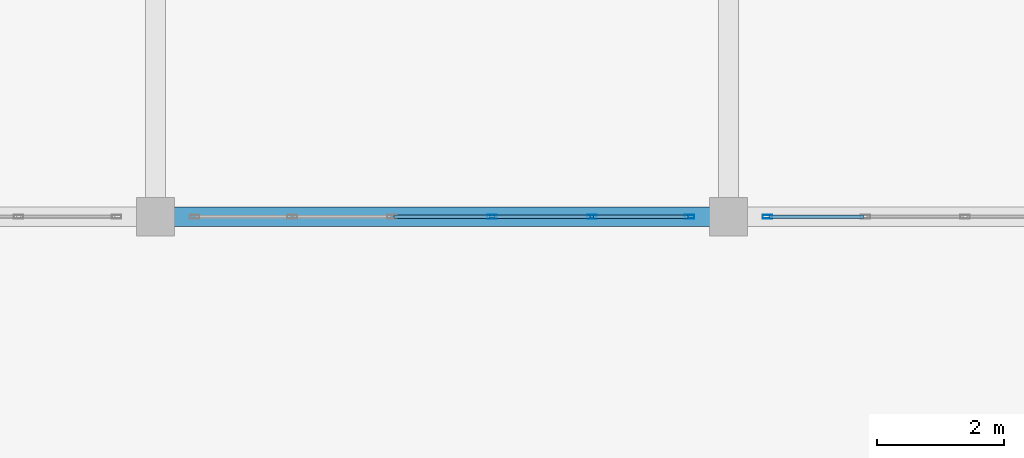
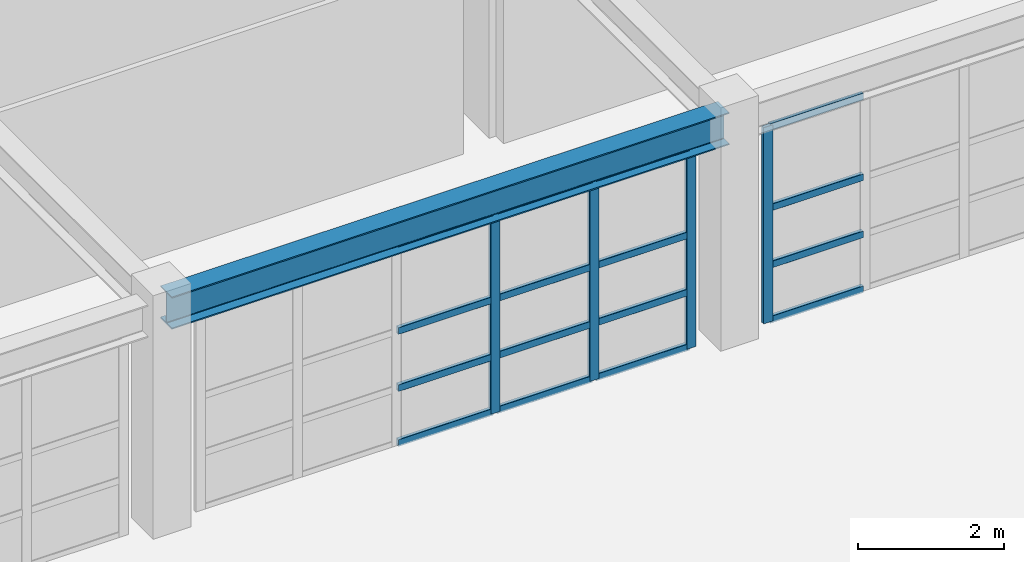
# One storey, part 15 of 110: 20 members, 1 beam, 2 elements without a shape of their own.
"""IFC4 building model written with IfcOpenShell, lengths in metres."""

from ifc_helpers import new_model, si_unit, direction, frame, origin, origin_2d, place, context, subcontext, project, spatial, hollow_rectangle, i_section, extrude, material, material_profile, profile_set, type_object, element, aggregate, save


model = new_model("IFC4")

# Units and contexts
model_context = context("Model", 3, precision=1e-05, world=origin(), true_north=direction((0.0, 1.0)))
body_context = subcontext(model_context, "Body", "Model", "MODEL_VIEW")
ifc_project = project(units=[si_unit("LENGTHUNIT", "METRE"), si_unit("AREAUNIT", "SQUARE_METRE"), si_unit("VOLUMEUNIT", "CUBIC_METRE"), si_unit("PLANEANGLEUNIT", "RADIAN"), si_unit("MASSUNIT", "GRAM", prefix="KILO")], contexts=[model_context])

# Site, building, storey
site_placement = place(None, origin())
site = spatial("IfcSite", under=ifc_project, at=site_placement, CompositionType="ELEMENT")
building_placement = place(site_placement, origin())
building = spatial("IfcBuilding", under=site, at=building_placement, Name="Miravela Opera House", CompositionType="ELEMENT")
storey_placement = place(building_placement, frame((0.0, 0.0, 13.60009765625)))
storey = spatial("IfcBuildingStorey", under=building, at=storey_placement, Name="L03", CompositionType="ELEMENT", Elevation=13.60009765625)

# Curtain wall, members
ifc_material_1 = material(Name="Anodised architectural bronze aluminium 6063-T6", Category="aluminium")
curtain_wall_type = type_object("IfcCurtainWallType", Name="ARC-CW-06", PredefinedType="NOTDEFINED", material=ifc_material_1)
curtain_wall_1_placement = place(storey_placement, origin())
curtain_wall_1 = element("IfcCurtainWall", 1, at=curtain_wall_1_placement, inside=storey, type_object=curtain_wall_type, Name="Courtyard Arcade Curtain Wall CW-L03-149", PredefinedType="NOTDEFINED")
ifc_material_profile_1 = material_profile(ifc_material_1, hollow_rectangle(XDim=0.06005859375, YDim=0.14990234375, WallThickness=0.00390625, InnerFilletRadius=0.001953125, OuterFilletRadius=0.00390625, at=origin_2d()), Name="CWM-60X150")
ifc_profile_set_1 = profile_set([ifc_material_profile_1])
member_type_1 = type_object("IfcMemberType", Name="ARC-CWM-150", PredefinedType="MULLION", material=ifc_profile_set_1)
member_1_placement = place(storey_placement, frame((41.283935546875, 28.0, 0.0), z_axis=(0.0, 0.0, 1.0), x_axis=(0.0, 1.0, 0.0)))
member_1 = element("IfcMember", 2, at=member_1_placement, type_object=member_type_1, Name="CW-06 mullion 4", PredefinedType="MULLION", context=body_context, shape_type="SweptSolid", body=[
    extrude(hollow_rectangle(XDim=0.06005859375, YDim=0.14990234375, WallThickness=0.00390625, InnerFilletRadius=0.001953125, OuterFilletRadius=0.00390625, at=origin_2d()), origin(), (0.0, 0.0, 1.0), 3.289794921875),
])
member_2_placement = place(storey_placement, frame((42.85205078125, 28.0, 0.0), z_axis=(0.0, 0.0, 1.0), x_axis=(0.0, 1.0, 0.0)))
member_2 = element("IfcMember", 3, at=member_2_placement, type_object=member_type_1, Name="CW-06 mullion 5", PredefinedType="MULLION", context=body_context, shape_type="SweptSolid", body=[
    extrude(hollow_rectangle(XDim=0.06005859375, YDim=0.14990234375, WallThickness=0.00390625, InnerFilletRadius=0.001953125, OuterFilletRadius=0.00390625, at=origin_2d()), origin(), (0.0, 0.0, 1.0), 3.289794921875),
])
member_3_placement = place(storey_placement, frame((44.389892578125, 28.0, 0.0), z_axis=(0.0, 0.0, 1.0), x_axis=(0.0, 1.0, 0.0)))
member_3 = element("IfcMember", 4, at=member_3_placement, type_object=member_type_1, Name="CW-06 mullion 6", PredefinedType="MULLION", context=body_context, shape_type="SweptSolid", body=[
    extrude(hollow_rectangle(XDim=0.06005859375, YDim=0.14990234375, WallThickness=0.00390625, InnerFilletRadius=0.001953125, OuterFilletRadius=0.00390625, at=origin_2d()), origin(), (0.0, 0.0, 1.0), 3.289794921875),
])

# Curtain wall, member
curtain_wall_2_placement = place(storey_placement, origin())
curtain_wall_2 = element("IfcCurtainWall", 5, at=curtain_wall_2_placement, inside=storey, type_object=curtain_wall_type, Name="Courtyard Arcade Curtain Wall CW-L03-150", PredefinedType="NOTDEFINED")
member_4_placement = place(storey_placement, frame((45.610107421875, 28.0, 0.0), z_axis=(0.0, 0.0, 1.0), x_axis=(0.0, 1.0, 0.0)))
member_4 = element("IfcMember", 6, at=member_4_placement, type_object=member_type_1, Name="CW-06 mullion 1", PredefinedType="MULLION", context=body_context, shape_type="SweptSolid", body=[
    extrude(hollow_rectangle(XDim=0.06005859375, YDim=0.14990234375, WallThickness=0.00390625, InnerFilletRadius=0.001953125, OuterFilletRadius=0.00390625, at=origin_2d()), origin(), (0.0, 0.0, 1.0), 3.289794921875),
])

# Member
ifc_material_profile_2 = material_profile(ifc_material_1, hollow_rectangle(XDim=0.06005859375, YDim=0.114990234375, WallThickness=0.00390625, InnerFilletRadius=0.001953125, OuterFilletRadius=0.00390625, at=origin_2d()), Name="CWT-60X115")
ifc_profile_set_2 = profile_set([ifc_material_profile_2])
member_type_2 = type_object("IfcMemberType", Name="ARC-CWT-115", PredefinedType="USERDEFINED", material=ifc_profile_set_2)
member_5_placement = place(storey_placement, frame((39.74609375, 28.0, 0.02978515625), z_axis=(1.0, 0.0, 0.0), x_axis=(0.0, 1.0, 0.0)))
member_5 = element("IfcMember", 7, at=member_5_placement, type_object=member_type_2, Name="CW-06 transom 3.1", ObjectType="TRANSOM", PredefinedType="USERDEFINED", context=body_context, shape_type="SweptSolid", body=[
    extrude(hollow_rectangle(XDim=0.06005859375, YDim=0.114990234375, WallThickness=0.00390625, InnerFilletRadius=0.001953125, OuterFilletRadius=0.00390625, at=origin_2d()), origin(), (0.0, 0.0, 1.0), 1.5078125),
])

member_6_placement = place(storey_placement, frame((39.74609375, 28.0, 0.949951171875), z_axis=(1.0, 0.0, 0.0), x_axis=(0.0, 1.0, 0.0)))
member_6 = element("IfcMember", 8, at=member_6_placement, type_object=member_type_2, Name="CW-06 transom 3.2", ObjectType="TRANSOM", PredefinedType="USERDEFINED", context=body_context, shape_type="SweptSolid", body=[
    extrude(hollow_rectangle(XDim=0.06005859375, YDim=0.114990234375, WallThickness=0.00390625, InnerFilletRadius=0.001953125, OuterFilletRadius=0.00390625, at=origin_2d()), origin(), (0.0, 0.0, 1.0), 1.5078125),
])

member_7_placement = place(storey_placement, frame((39.74609375, 28.0, 1.908203125), z_axis=(1.0, 0.0, 0.0), x_axis=(0.0, 1.0, 0.0)))
member_7 = element("IfcMember", 9, at=member_7_placement, type_object=member_type_2, Name="CW-06 transom 3.3", ObjectType="TRANSOM", PredefinedType="USERDEFINED", context=body_context, shape_type="SweptSolid", body=[
    extrude(hollow_rectangle(XDim=0.06005859375, YDim=0.114990234375, WallThickness=0.00390625, InnerFilletRadius=0.001953125, OuterFilletRadius=0.00390625, at=origin_2d()), origin(), (0.0, 0.0, 1.0), 1.5078125),
])

member_8_placement = place(storey_placement, frame((39.74609375, 28.0, 3.260009765625), z_axis=(1.0, 0.0, 0.0), x_axis=(0.0, 1.0, 0.0)))
member_8 = element("IfcMember", 10, at=member_8_placement, type_object=member_type_2, Name="CW-06 transom 3.4", ObjectType="TRANSOM", PredefinedType="USERDEFINED", context=body_context, shape_type="SweptSolid", body=[
    extrude(hollow_rectangle(XDim=0.06005859375, YDim=0.114990234375, WallThickness=0.00390625, InnerFilletRadius=0.001953125, OuterFilletRadius=0.00390625, at=origin_2d()), origin(), (0.0, 0.0, 1.0), 1.5078125),
])

member_9_placement = place(storey_placement, frame((41.31396484375, 28.0, 0.02978515625), z_axis=(1.0, 0.0, 0.0), x_axis=(0.0, 1.0, 0.0)))
member_9 = element("IfcMember", 11, at=member_9_placement, type_object=member_type_2, Name="CW-06 transom 4.1", ObjectType="TRANSOM", PredefinedType="USERDEFINED", context=body_context, shape_type="SweptSolid", body=[
    extrude(hollow_rectangle(XDim=0.06005859375, YDim=0.114990234375, WallThickness=0.00390625, InnerFilletRadius=0.001953125, OuterFilletRadius=0.00390625, at=origin_2d()), origin(), (0.0, 0.0, 1.0), 1.508056640625),
])

member_10_placement = place(storey_placement, frame((41.31396484375, 28.0, 0.949951171875), z_axis=(1.0, 0.0, 0.0), x_axis=(0.0, 1.0, 0.0)))
member_10 = element("IfcMember", 12, at=member_10_placement, type_object=member_type_2, Name="CW-06 transom 4.2", ObjectType="TRANSOM", PredefinedType="USERDEFINED", context=body_context, shape_type="SweptSolid", body=[
    extrude(hollow_rectangle(XDim=0.06005859375, YDim=0.114990234375, WallThickness=0.00390625, InnerFilletRadius=0.001953125, OuterFilletRadius=0.00390625, at=origin_2d()), origin(), (0.0, 0.0, 1.0), 1.508056640625),
])

member_11_placement = place(storey_placement, frame((41.31396484375, 28.0, 1.908203125), z_axis=(1.0, 0.0, 0.0), x_axis=(0.0, 1.0, 0.0)))
member_11 = element("IfcMember", 13, at=member_11_placement, type_object=member_type_2, Name="CW-06 transom 4.3", ObjectType="TRANSOM", PredefinedType="USERDEFINED", context=body_context, shape_type="SweptSolid", body=[
    extrude(hollow_rectangle(XDim=0.06005859375, YDim=0.114990234375, WallThickness=0.00390625, InnerFilletRadius=0.001953125, OuterFilletRadius=0.00390625, at=origin_2d()), origin(), (0.0, 0.0, 1.0), 1.508056640625),
])

member_12_placement = place(storey_placement, frame((41.31396484375, 28.0, 3.260009765625), z_axis=(1.0, 0.0, 0.0), x_axis=(0.0, 1.0, 0.0)))
member_12 = element("IfcMember", 14, at=member_12_placement, type_object=member_type_2, Name="CW-06 transom 4.4", ObjectType="TRANSOM", PredefinedType="USERDEFINED", context=body_context, shape_type="SweptSolid", body=[
    extrude(hollow_rectangle(XDim=0.06005859375, YDim=0.114990234375, WallThickness=0.00390625, InnerFilletRadius=0.001953125, OuterFilletRadius=0.00390625, at=origin_2d()), origin(), (0.0, 0.0, 1.0), 1.508056640625),
])

member_13_placement = place(storey_placement, frame((42.882080078125, 28.0, 0.02978515625), z_axis=(1.0, 0.0, 0.0), x_axis=(0.0, 1.0, 0.0)))
member_13 = element("IfcMember", 15, at=member_13_placement, type_object=member_type_2, Name="CW-06 transom 5.1", ObjectType="TRANSOM", PredefinedType="USERDEFINED", context=body_context, shape_type="SweptSolid", body=[
    extrude(hollow_rectangle(XDim=0.06005859375, YDim=0.114990234375, WallThickness=0.00390625, InnerFilletRadius=0.001953125, OuterFilletRadius=0.00390625, at=origin_2d()), origin(), (0.0, 0.0, 1.0), 1.47802734375),
])

member_14_placement = place(storey_placement, frame((42.882080078125, 28.0, 0.949951171875), z_axis=(1.0, 0.0, 0.0), x_axis=(0.0, 1.0, 0.0)))
member_14 = element("IfcMember", 16, at=member_14_placement, type_object=member_type_2, Name="CW-06 transom 5.2", ObjectType="TRANSOM", PredefinedType="USERDEFINED", context=body_context, shape_type="SweptSolid", body=[
    extrude(hollow_rectangle(XDim=0.06005859375, YDim=0.114990234375, WallThickness=0.00390625, InnerFilletRadius=0.001953125, OuterFilletRadius=0.00390625, at=origin_2d()), origin(), (0.0, 0.0, 1.0), 1.47802734375),
])

member_15_placement = place(storey_placement, frame((42.882080078125, 28.0, 1.908203125), z_axis=(1.0, 0.0, 0.0), x_axis=(0.0, 1.0, 0.0)))
member_15 = element("IfcMember", 17, at=member_15_placement, type_object=member_type_2, Name="CW-06 transom 5.3", ObjectType="TRANSOM", PredefinedType="USERDEFINED", context=body_context, shape_type="SweptSolid", body=[
    extrude(hollow_rectangle(XDim=0.06005859375, YDim=0.114990234375, WallThickness=0.00390625, InnerFilletRadius=0.001953125, OuterFilletRadius=0.00390625, at=origin_2d()), origin(), (0.0, 0.0, 1.0), 1.47802734375),
])

member_16_placement = place(storey_placement, frame((42.882080078125, 28.0, 3.260009765625), z_axis=(1.0, 0.0, 0.0), x_axis=(0.0, 1.0, 0.0)))
member_16 = element("IfcMember", 18, at=member_16_placement, type_object=member_type_2, Name="CW-06 transom 5.4", ObjectType="TRANSOM", PredefinedType="USERDEFINED", context=body_context, shape_type="SweptSolid", body=[
    extrude(hollow_rectangle(XDim=0.06005859375, YDim=0.114990234375, WallThickness=0.00390625, InnerFilletRadius=0.001953125, OuterFilletRadius=0.00390625, at=origin_2d()), origin(), (0.0, 0.0, 1.0), 1.47802734375),
])

aggregate(curtain_wall_1, [member_1, member_2, member_3, member_5, member_6, member_7, member_8, member_9, member_10, member_11, member_12, member_13, member_14, member_15, member_16])

member_17_placement = place(storey_placement, frame((45.639892578125, 28.0, 0.02978515625), z_axis=(1.0, 0.0, 0.0), x_axis=(0.0, 1.0, 0.0)))
member_17 = element("IfcMember", 19, at=member_17_placement, type_object=member_type_2, Name="CW-06 transom 1.1", ObjectType="TRANSOM", PredefinedType="USERDEFINED", context=body_context, shape_type="SweptSolid", body=[
    extrude(hollow_rectangle(XDim=0.06005859375, YDim=0.114990234375, WallThickness=0.00390625, InnerFilletRadius=0.001953125, OuterFilletRadius=0.00390625, at=origin_2d()), origin(), (0.0, 0.0, 1.0), 1.47802734375),
])

member_18_placement = place(storey_placement, frame((45.639892578125, 28.0, 0.949951171875), z_axis=(1.0, 0.0, 0.0), x_axis=(0.0, 1.0, 0.0)))
member_18 = element("IfcMember", 20, at=member_18_placement, type_object=member_type_2, Name="CW-06 transom 1.2", ObjectType="TRANSOM", PredefinedType="USERDEFINED", context=body_context, shape_type="SweptSolid", body=[
    extrude(hollow_rectangle(XDim=0.06005859375, YDim=0.114990234375, WallThickness=0.00390625, InnerFilletRadius=0.001953125, OuterFilletRadius=0.00390625, at=origin_2d()), origin(), (0.0, 0.0, 1.0), 1.47802734375),
])

member_19_placement = place(storey_placement, frame((45.639892578125, 28.0, 1.908203125), z_axis=(1.0, 0.0, 0.0), x_axis=(0.0, 1.0, 0.0)))
member_19 = element("IfcMember", 21, at=member_19_placement, type_object=member_type_2, Name="CW-06 transom 1.3", ObjectType="TRANSOM", PredefinedType="USERDEFINED", context=body_context, shape_type="SweptSolid", body=[
    extrude(hollow_rectangle(XDim=0.06005859375, YDim=0.114990234375, WallThickness=0.00390625, InnerFilletRadius=0.001953125, OuterFilletRadius=0.00390625, at=origin_2d()), origin(), (0.0, 0.0, 1.0), 1.47802734375),
])

member_20_placement = place(storey_placement, frame((45.639892578125, 28.0, 3.260009765625), z_axis=(1.0, 0.0, 0.0), x_axis=(0.0, 1.0, 0.0)))
member_20 = element("IfcMember", 22, at=member_20_placement, type_object=member_type_2, Name="CW-06 transom 1.4", ObjectType="TRANSOM", PredefinedType="USERDEFINED", context=body_context, shape_type="SweptSolid", body=[
    extrude(hollow_rectangle(XDim=0.06005859375, YDim=0.114990234375, WallThickness=0.00390625, InnerFilletRadius=0.001953125, OuterFilletRadius=0.00390625, at=origin_2d()), origin(), (0.0, 0.0, 1.0), 1.47802734375),
])

aggregate(curtain_wall_2, [member_4, member_17, member_18, member_19, member_20])

# Beam
ifc_material_2 = material(Name="Structural steel ASTM A992 Gr. 50", Category="steel")
ifc_material_profile_3 = material_profile(ifc_material_2, i_section(OverallWidth=0.31201171875, OverallDepth=0.54296875, WebThickness=0.0126953125, FlangeThickness=0.020263671875, FilletRadius=0.01611328125, at=origin_2d()), Name="W530X150")
ifc_profile_set_3 = profile_set([ifc_material_profile_3])
beam_type = type_object("IfcBeamType", Name="STR-BM-W530X150", PredefinedType="BEAM", material=ifc_profile_set_3)
beam_placement = place(storey_placement, frame((36.080078125, 28.0, 3.568359375), z_axis=(1.0, 0.0, 0.0), x_axis=(0.0, 1.0, 0.0)))
element("IfcBeam", 23, at=beam_placement, inside=storey, type_object=beam_type, Name="Roof Eave Girder ROOF-V4-WEST-N S3", PredefinedType="BEAM", context=body_context, shape_type="SweptSolid", body=[
    extrude(i_section(OverallWidth=0.31201171875, OverallDepth=0.54296875, WebThickness=0.0126953125, FlangeThickness=0.020263671875, FilletRadius=0.01611328125, at=origin_2d()), origin(), (0.0, 0.0, 1.0), 8.83984375),
])

save(model, "model.ifc")
